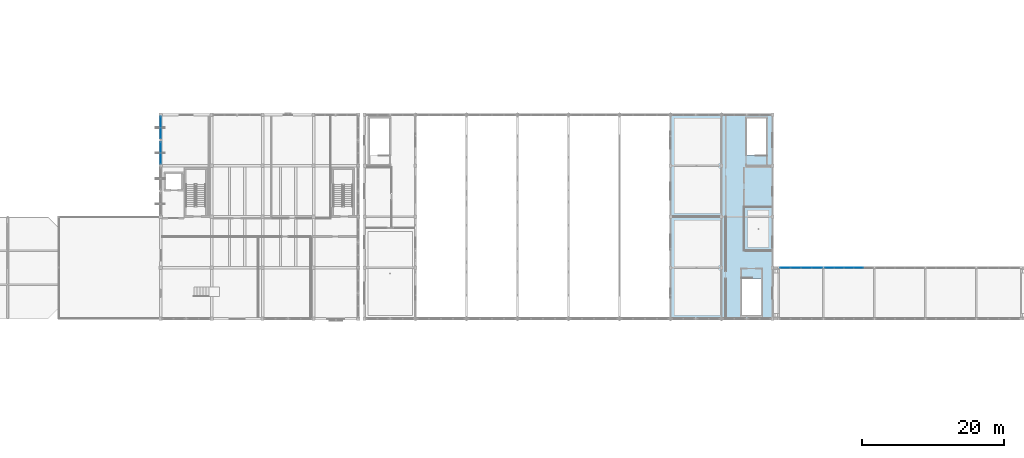
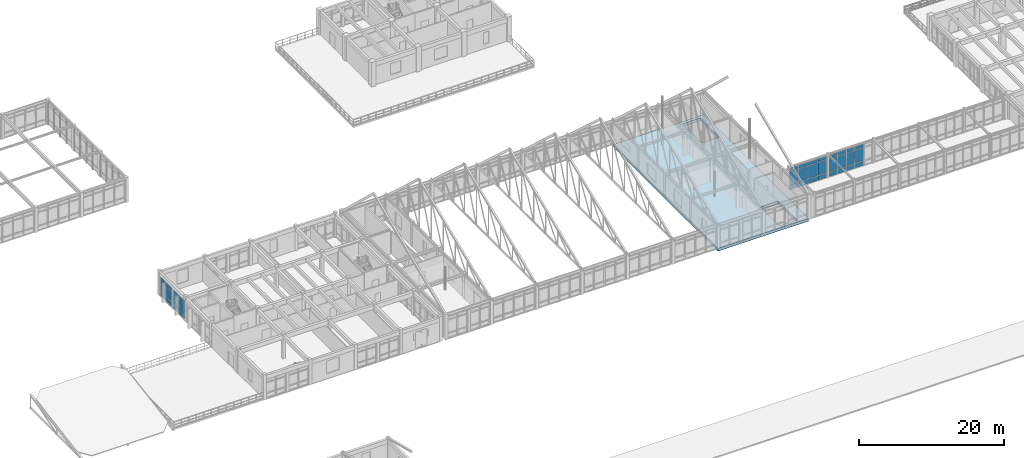
# One storey, part 80 of 136: 36 plates, 1 slab, 4 elements without a shape of their own.
"""IFC4 building model written with IfcOpenShell, lengths in metres."""

from ifc_helpers import new_model, si_unit, direction, frame, origin, origin_2d, place, context, subcontext, project, spatial, polyline, rectangle, outline, extrude, material, layer, layer_set, type_object, element, aggregate, save


model = new_model("IFC4")

# Units and contexts
model_context = context("Model", 3, precision=1e-05, world=origin(), true_north=direction((0.0, 1.0)))
body_context = subcontext(model_context, "Body", "Model", "MODEL_VIEW")
ifc_project = project(units=[si_unit("LENGTHUNIT", "METRE"), si_unit("AREAUNIT", "SQUARE_METRE"), si_unit("VOLUMEUNIT", "CUBIC_METRE"), si_unit("PLANEANGLEUNIT", "RADIAN"), si_unit("MASSUNIT", "GRAM", prefix="KILO")], contexts=[model_context])

# Site, building, storey
site_placement = place(None, origin())
site = spatial("IfcSite", under=ifc_project, at=site_placement, CompositionType="ELEMENT")
building_placement = place(site_placement, origin())
building = spatial("IfcBuilding", under=site, at=building_placement, Name="Koriwan Promenade Central Fire Station", CompositionType="ELEMENT")
storey_placement = place(building_placement, frame((0.0, 0.0, 5.39990234375)))
storey = spatial("IfcBuildingStorey", under=building, at=storey_placement, Name="L01", CompositionType="ELEMENT", Elevation=5.39990234375)

# Curtain wall, plates
ifc_material_1 = material(Name="Aluminium EN AW-6063-T6 and low-E glazing", Category="aluminium")
ifc_layer_1 = layer(ifc_material_1, 0.159912109375, Name="Aluminium EN AW-6063-T6 and low-E glazing")
ifc_layer_set_1 = layer_set([ifc_layer_1], Name="Aluminium EN AW-6063-T6 and low-E glazing")
curtain_wall_type_1 = type_object("IfcCurtainWallType", Name="CurtainWall_28_318x329", PredefinedType="USERDEFINED", material=ifc_layer_set_1)
curtain_wall_1_placement = place(storey_placement, origin())
curtain_wall_1 = element("IfcCurtainWall", 1, at=curtain_wall_1_placement, inside=storey, type_object=curtain_wall_type_1, Name="V4 L01 unitised curtain wall 121", ObjectType="UNITISED CURTAIN WALL", PredefinedType="USERDEFINED")
ifc_material_2 = material(Name="Solar-control low-E acoustic glazing", Category="glass")
ifc_layer_2 = layer(ifc_material_2, 0.031982421875, Name="Solar-control low-E acoustic glazing")
ifc_layer_set_2 = layer_set([ifc_layer_2], Name="Solar-control low-E acoustic glazing")
plate_type = type_object("IfcPlateType", Name="CWPanel_32", PredefinedType="CURTAIN_PANEL", material=ifc_layer_set_2)
plate_1_placement = place(storey_placement, frame((28.800048828125, 70.96240234375, 0.0751953125), z_axis=(0.0, 0.0, 1.0), x_axis=(0.0, -1.0, 0.0)))
plate_1 = element("IfcPlate", 2, at=plate_1_placement, type_object=plate_type, Name="CW-28 panel 1.1", PredefinedType="CURTAIN_PANEL", context=body_context, shape_type="SweptSolid", body=[
    extrude(rectangle(XDim=1.47509765625, YDim=0.031982421875, at=origin_2d()), origin(), (0.0, 0.0, 1.0), 0.737548828125),
])
plate_2_placement = place(storey_placement, frame((28.800048828125, 70.96240234375, 0.8876953125), z_axis=(0.0, 0.0, 1.0), x_axis=(0.0, -1.0, 0.0)))
plate_2 = element("IfcPlate", 3, at=plate_2_placement, type_object=plate_type, Name="CW-28 panel 1.2", PredefinedType="CURTAIN_PANEL", context=body_context, shape_type="SweptSolid", body=[
    extrude(rectangle(XDim=1.47509765625, YDim=0.031982421875, at=origin_2d()), origin(), (0.0, 0.0, 1.0), 1.715087890625),
])
plate_3_placement = place(storey_placement, frame((28.800048828125, 70.96240234375, 2.677490234375), z_axis=(0.0, 0.0, 1.0), x_axis=(0.0, -1.0, 0.0)))
plate_3 = element("IfcPlate", 4, at=plate_3_placement, type_object=plate_type, Name="CW-28 panel 1.3", PredefinedType="CURTAIN_PANEL", context=body_context, shape_type="SweptSolid", body=[
    extrude(rectangle(XDim=1.47509765625, YDim=0.031982421875, at=origin_2d()), origin(), (0.0, 0.0, 1.0), 0.53759765625),
])
plate_4_placement = place(storey_placement, frame((28.800048828125, 69.41259765625, 0.0751953125), z_axis=(0.0, 0.0, 1.0), x_axis=(0.0, -1.0, 0.0)))
plate_4 = element("IfcPlate", 5, at=plate_4_placement, type_object=plate_type, Name="CW-28 panel 2.1", PredefinedType="CURTAIN_PANEL", context=body_context, shape_type="SweptSolid", body=[
    extrude(rectangle(XDim=1.47509765625, YDim=0.031982421875, at=origin_2d()), origin(), (0.0, 0.0, 1.0), 0.737548828125),
])
plate_5_placement = place(storey_placement, frame((28.800048828125, 69.41259765625, 0.8876953125), z_axis=(0.0, 0.0, 1.0), x_axis=(0.0, -1.0, 0.0)))
plate_5 = element("IfcPlate", 6, at=plate_5_placement, type_object=plate_type, Name="CW-28 panel 2.2", PredefinedType="CURTAIN_PANEL", context=body_context, shape_type="SweptSolid", body=[
    extrude(rectangle(XDim=1.47509765625, YDim=0.031982421875, at=origin_2d()), origin(), (0.0, 0.0, 1.0), 1.715087890625),
])
plate_6_placement = place(storey_placement, frame((28.800048828125, 69.41259765625, 2.677490234375), z_axis=(0.0, 0.0, 1.0), x_axis=(0.0, -1.0, 0.0)))
plate_6 = element("IfcPlate", 7, at=plate_6_placement, type_object=plate_type, Name="CW-28 panel 2.3", PredefinedType="CURTAIN_PANEL", context=body_context, shape_type="SweptSolid", body=[
    extrude(rectangle(XDim=1.47509765625, YDim=0.031982421875, at=origin_2d()), origin(), (0.0, 0.0, 1.0), 0.53759765625),
])
aggregate(curtain_wall_1, [plate_1, plate_2, plate_3, plate_4, plate_5, plate_6])

ifc_layer_3 = layer(ifc_material_1, 0.159912109375, Name="Aluminium EN AW-6063-T6 and low-E glazing")
ifc_layer_set_3 = layer_set([ifc_layer_3], Name="Aluminium EN AW-6063-T6 and low-E glazing")
curtain_wall_type_2 = type_object("IfcCurtainWallType", Name="CurtainWall_46_317x329", PredefinedType="USERDEFINED", material=ifc_layer_set_3)
curtain_wall_2_placement = place(storey_placement, origin())
curtain_wall_2 = element("IfcCurtainWall", 8, at=curtain_wall_2_placement, inside=storey, type_object=curtain_wall_type_2, Name="V4 L01 unitised curtain wall 122", ObjectType="UNITISED CURTAIN WALL", PredefinedType="USERDEFINED")
plate_7_placement = place(storey_placement, frame((28.800048828125, 67.387451171875, 0.0751953125), z_axis=(0.0, 0.0, 1.0), x_axis=(0.0, -1.0, 0.0)))
plate_7 = element("IfcPlate", 9, at=plate_7_placement, type_object=plate_type, Name="CW-46 panel 1.1", PredefinedType="CURTAIN_PANEL", context=body_context, shape_type="SweptSolid", body=[
    extrude(rectangle(XDim=1.47509765625, YDim=0.031982421875, at=origin_2d()), origin(), (0.0, 0.0, 1.0), 0.737548828125),
])
plate_8_placement = place(storey_placement, frame((28.800048828125, 67.387451171875, 0.8876953125), z_axis=(0.0, 0.0, 1.0), x_axis=(0.0, -1.0, 0.0)))
plate_8 = element("IfcPlate", 10, at=plate_8_placement, type_object=plate_type, Name="CW-46 panel 1.2", PredefinedType="CURTAIN_PANEL", context=body_context, shape_type="SweptSolid", body=[
    extrude(rectangle(XDim=1.47509765625, YDim=0.031982421875, at=origin_2d()), origin(), (0.0, 0.0, 1.0), 1.715087890625),
])
plate_9_placement = place(storey_placement, frame((28.800048828125, 67.387451171875, 2.677490234375), z_axis=(0.0, 0.0, 1.0), x_axis=(0.0, -1.0, 0.0)))
plate_9 = element("IfcPlate", 11, at=plate_9_placement, type_object=plate_type, Name="CW-46 panel 1.3", PredefinedType="CURTAIN_PANEL", context=body_context, shape_type="SweptSolid", body=[
    extrude(rectangle(XDim=1.47509765625, YDim=0.031982421875, at=origin_2d()), origin(), (0.0, 0.0, 1.0), 0.53759765625),
])
plate_10_placement = place(storey_placement, frame((28.800048828125, 65.83740234375, 0.0751953125), z_axis=(0.0, 0.0, 1.0), x_axis=(0.0, -1.0, 0.0)))
plate_10 = element("IfcPlate", 12, at=plate_10_placement, type_object=plate_type, Name="CW-46 panel 2.1", PredefinedType="CURTAIN_PANEL", context=body_context, shape_type="SweptSolid", body=[
    extrude(rectangle(XDim=1.47509765625, YDim=0.031982421875, at=origin_2d()), origin(), (0.0, 0.0, 1.0), 0.737548828125),
])
plate_11_placement = place(storey_placement, frame((28.800048828125, 65.83740234375, 0.8876953125), z_axis=(0.0, 0.0, 1.0), x_axis=(0.0, -1.0, 0.0)))
plate_11 = element("IfcPlate", 13, at=plate_11_placement, type_object=plate_type, Name="CW-46 panel 2.2", PredefinedType="CURTAIN_PANEL", context=body_context, shape_type="SweptSolid", body=[
    extrude(rectangle(XDim=1.47509765625, YDim=0.031982421875, at=origin_2d()), origin(), (0.0, 0.0, 1.0), 1.715087890625),
])
plate_12_placement = place(storey_placement, frame((28.800048828125, 65.83740234375, 2.677490234375), z_axis=(0.0, 0.0, 1.0), x_axis=(0.0, -1.0, 0.0)))
plate_12 = element("IfcPlate", 14, at=plate_12_placement, type_object=plate_type, Name="CW-46 panel 2.3", PredefinedType="CURTAIN_PANEL", context=body_context, shape_type="SweptSolid", body=[
    extrude(rectangle(XDim=1.47509765625, YDim=0.031982421875, at=origin_2d()), origin(), (0.0, 0.0, 1.0), 0.53759765625),
])
aggregate(curtain_wall_2, [plate_7, plate_8, plate_9, plate_10, plate_11, plate_12])

ifc_layer_4 = layer(ifc_material_1, 0.159912109375, Name="Aluminium EN AW-6063-T6 and low-E glazing")
ifc_layer_set_4 = layer_set([ifc_layer_4], Name="Aluminium EN AW-6063-T6 and low-E glazing")
curtain_wall_type_3 = type_object("IfcCurtainWallType", Name="CurtainWall_97_605x374", PredefinedType="USERDEFINED", material=ifc_layer_set_4)
curtain_wall_3_placement = place(storey_placement, origin())
curtain_wall_3 = element("IfcCurtainWall", 15, at=curtain_wall_3_placement, inside=storey, type_object=curtain_wall_type_3, Name="V5 L01 unitised curtain wall 309", ObjectType="UNITISED CURTAIN WALL", PredefinedType="USERDEFINED")
plate_13_placement = place(storey_placement, frame((117.0, 50.39990234375, 0.0751953125), z_axis=(0.0, 0.0, 1.0), x_axis=(1.0, 0.0, 0.0)))
plate_13 = element("IfcPlate", 16, at=plate_13_placement, type_object=plate_type, Name="CW-97 panel 1.1", PredefinedType="CURTAIN_PANEL", context=body_context, shape_type="SweptSolid", body=[
    extrude(rectangle(XDim=1.39990234375, YDim=0.031982421875, at=origin_2d()), origin(), (0.0, 0.0, 1.0), 0.737548828125),
])
plate_14_placement = place(storey_placement, frame((117.0, 50.39990234375, 0.8876953125), z_axis=(0.0, 0.0, 1.0), x_axis=(1.0, 0.0, 0.0)))
plate_14 = element("IfcPlate", 17, at=plate_14_placement, type_object=plate_type, Name="CW-97 panel 1.2", PredefinedType="CURTAIN_PANEL", context=body_context, shape_type="SweptSolid", body=[
    extrude(rectangle(XDim=1.39990234375, YDim=0.031982421875, at=origin_2d()), origin(), (0.0, 0.0, 1.0), 2.1650390625),
])
plate_15_placement = place(storey_placement, frame((117.0, 50.39990234375, 3.12744140625), z_axis=(0.0, 0.0, 1.0), x_axis=(1.0, 0.0, 0.0)))
plate_15 = element("IfcPlate", 18, at=plate_15_placement, type_object=plate_type, Name="CW-97 panel 1.3", PredefinedType="CURTAIN_PANEL", context=body_context, shape_type="SweptSolid", body=[
    extrude(rectangle(XDim=1.39990234375, YDim=0.031982421875, at=origin_2d()), origin(), (0.0, 0.0, 1.0), 0.53759765625),
])
plate_16_placement = place(storey_placement, frame((118.49365234375, 50.39990234375, 0.0751953125), z_axis=(0.0, 0.0, 1.0), x_axis=(1.0, 0.0, 0.0)))
plate_16 = element("IfcPlate", 19, at=plate_16_placement, type_object=plate_type, Name="CW-97 panel 2.1", PredefinedType="CURTAIN_PANEL", context=body_context, shape_type="SweptSolid", body=[
    extrude(rectangle(XDim=1.4375, YDim=0.031982421875, at=origin_2d()), origin(), (0.0, 0.0, 1.0), 0.737548828125),
])
plate_17_placement = place(storey_placement, frame((118.49365234375, 50.39990234375, 0.8876953125), z_axis=(0.0, 0.0, 1.0), x_axis=(1.0, 0.0, 0.0)))
plate_17 = element("IfcPlate", 20, at=plate_17_placement, type_object=plate_type, Name="CW-97 panel 2.2", PredefinedType="CURTAIN_PANEL", context=body_context, shape_type="SweptSolid", body=[
    extrude(rectangle(XDim=1.4375, YDim=0.031982421875, at=origin_2d()), origin(), (0.0, 0.0, 1.0), 2.1650390625),
])
plate_18_placement = place(storey_placement, frame((118.49365234375, 50.39990234375, 3.12744140625), z_axis=(0.0, 0.0, 1.0), x_axis=(1.0, 0.0, 0.0)))
plate_18 = element("IfcPlate", 21, at=plate_18_placement, type_object=plate_type, Name="CW-97 panel 2.3", PredefinedType="CURTAIN_PANEL", context=body_context, shape_type="SweptSolid", body=[
    extrude(rectangle(XDim=1.4375, YDim=0.031982421875, at=origin_2d()), origin(), (0.0, 0.0, 1.0), 0.53759765625),
])
plate_19_placement = place(storey_placement, frame((120.00634765625, 50.39990234375, 0.0751953125), z_axis=(0.0, 0.0, 1.0), x_axis=(1.0, 0.0, 0.0)))
plate_19 = element("IfcPlate", 22, at=plate_19_placement, type_object=plate_type, Name="CW-97 panel 3.1", PredefinedType="CURTAIN_PANEL", context=body_context, shape_type="SweptSolid", body=[
    extrude(rectangle(XDim=1.4375, YDim=0.031982421875, at=origin_2d()), origin(), (0.0, 0.0, 1.0), 0.737548828125),
])
plate_20_placement = place(storey_placement, frame((120.00634765625, 50.39990234375, 0.8876953125), z_axis=(0.0, 0.0, 1.0), x_axis=(1.0, 0.0, 0.0)))
plate_20 = element("IfcPlate", 23, at=plate_20_placement, type_object=plate_type, Name="CW-97 panel 3.2", PredefinedType="CURTAIN_PANEL", context=body_context, shape_type="SweptSolid", body=[
    extrude(rectangle(XDim=1.4375, YDim=0.031982421875, at=origin_2d()), origin(), (0.0, 0.0, 1.0), 2.1650390625),
])
plate_21_placement = place(storey_placement, frame((120.00634765625, 50.39990234375, 3.12744140625), z_axis=(0.0, 0.0, 1.0), x_axis=(1.0, 0.0, 0.0)))
plate_21 = element("IfcPlate", 24, at=plate_21_placement, type_object=plate_type, Name="CW-97 panel 3.3", PredefinedType="CURTAIN_PANEL", context=body_context, shape_type="SweptSolid", body=[
    extrude(rectangle(XDim=1.4375, YDim=0.031982421875, at=origin_2d()), origin(), (0.0, 0.0, 1.0), 0.53759765625),
])
plate_22_placement = place(storey_placement, frame((121.5, 50.39990234375, 0.0751953125), z_axis=(0.0, 0.0, 1.0), x_axis=(1.0, 0.0, 0.0)))
plate_22 = element("IfcPlate", 25, at=plate_22_placement, type_object=plate_type, Name="CW-97 panel 4.1", PredefinedType="CURTAIN_PANEL", context=body_context, shape_type="SweptSolid", body=[
    extrude(rectangle(XDim=1.39990234375, YDim=0.031982421875, at=origin_2d()), origin(), (0.0, 0.0, 1.0), 0.737548828125),
])
plate_23_placement = place(storey_placement, frame((121.5, 50.39990234375, 0.8876953125), z_axis=(0.0, 0.0, 1.0), x_axis=(1.0, 0.0, 0.0)))
plate_23 = element("IfcPlate", 26, at=plate_23_placement, type_object=plate_type, Name="CW-97 panel 4.2", PredefinedType="CURTAIN_PANEL", context=body_context, shape_type="SweptSolid", body=[
    extrude(rectangle(XDim=1.39990234375, YDim=0.031982421875, at=origin_2d()), origin(), (0.0, 0.0, 1.0), 2.1650390625),
])
plate_24_placement = place(storey_placement, frame((121.5, 50.39990234375, 3.12744140625), z_axis=(0.0, 0.0, 1.0), x_axis=(1.0, 0.0, 0.0)))
plate_24 = element("IfcPlate", 27, at=plate_24_placement, type_object=plate_type, Name="CW-97 panel 4.3", PredefinedType="CURTAIN_PANEL", context=body_context, shape_type="SweptSolid", body=[
    extrude(rectangle(XDim=1.39990234375, YDim=0.031982421875, at=origin_2d()), origin(), (0.0, 0.0, 1.0), 0.53759765625),
])
aggregate(curtain_wall_3, [plate_13, plate_14, plate_15, plate_16, plate_17, plate_18, plate_19, plate_20, plate_21, plate_22, plate_23, plate_24])

ifc_layer_5 = layer(ifc_material_1, 0.159912109375, Name="Aluminium EN AW-6063-T6 and low-E glazing")
ifc_layer_set_5 = layer_set([ifc_layer_5], Name="Aluminium EN AW-6063-T6 and low-E glazing")
curtain_wall_type_4 = type_object("IfcCurtainWallType", Name="CurtainWall_98_695x374", PredefinedType="USERDEFINED", material=ifc_layer_set_5)
curtain_wall_4_placement = place(storey_placement, origin())
curtain_wall_4 = element("IfcCurtainWall", 28, at=curtain_wall_4_placement, inside=storey, type_object=curtain_wall_type_4, Name="V5 L01 unitised curtain wall 311", ObjectType="UNITISED CURTAIN WALL", PredefinedType="USERDEFINED")
plate_25_placement = place(storey_placement, frame((123.23876953125, 50.39990234375, 0.0751953125), z_axis=(0.0, 0.0, 1.0), x_axis=(1.0, 0.0, 0.0)))
plate_25 = element("IfcPlate", 29, at=plate_25_placement, type_object=plate_type, Name="CW-98 panel 1.1", PredefinedType="CURTAIN_PANEL", context=body_context, shape_type="SweptSolid", body=[
    extrude(rectangle(XDim=1.277587890625, YDim=0.031982421875, at=origin_2d()), origin(), (0.0, 0.0, 1.0), 0.737548828125),
])
plate_26_placement = place(storey_placement, frame((123.23876953125, 50.39990234375, 0.8876953125), z_axis=(0.0, 0.0, 1.0), x_axis=(1.0, 0.0, 0.0)))
plate_26 = element("IfcPlate", 30, at=plate_26_placement, type_object=plate_type, Name="CW-98 panel 1.2", PredefinedType="CURTAIN_PANEL", context=body_context, shape_type="SweptSolid", body=[
    extrude(rectangle(XDim=1.277587890625, YDim=0.031982421875, at=origin_2d()), origin(), (0.0, 0.0, 1.0), 2.1650390625),
])
plate_27_placement = place(storey_placement, frame((123.23876953125, 50.39990234375, 3.12744140625), z_axis=(0.0, 0.0, 1.0), x_axis=(1.0, 0.0, 0.0)))
plate_27 = element("IfcPlate", 31, at=plate_27_placement, type_object=plate_type, Name="CW-98 panel 1.3", PredefinedType="CURTAIN_PANEL", context=body_context, shape_type="SweptSolid", body=[
    extrude(rectangle(XDim=1.277587890625, YDim=0.031982421875, at=origin_2d()), origin(), (0.0, 0.0, 1.0), 0.53759765625),
])
plate_28_placement = place(storey_placement, frame((124.610107421875, 50.39990234375, 0.0751953125), z_axis=(0.0, 0.0, 1.0), x_axis=(1.0, 0.0, 0.0)))
plate_28 = element("IfcPlate", 32, at=plate_28_placement, type_object=plate_type, Name="CW-98 panel 2.1", PredefinedType="CURTAIN_PANEL", context=body_context, shape_type="SweptSolid", body=[
    extrude(rectangle(XDim=1.31494140625, YDim=0.031982421875, at=origin_2d()), origin(), (0.0, 0.0, 1.0), 0.737548828125),
])
plate_29_placement = place(storey_placement, frame((124.610107421875, 50.39990234375, 0.8876953125), z_axis=(0.0, 0.0, 1.0), x_axis=(1.0, 0.0, 0.0)))
plate_29 = element("IfcPlate", 33, at=plate_29_placement, type_object=plate_type, Name="CW-98 panel 2.2", PredefinedType="CURTAIN_PANEL", context=body_context, shape_type="SweptSolid", body=[
    extrude(rectangle(XDim=1.31494140625, YDim=0.031982421875, at=origin_2d()), origin(), (0.0, 0.0, 1.0), 2.1650390625),
])
plate_30_placement = place(storey_placement, frame((124.610107421875, 50.39990234375, 3.12744140625), z_axis=(0.0, 0.0, 1.0), x_axis=(1.0, 0.0, 0.0)))
plate_30 = element("IfcPlate", 34, at=plate_30_placement, type_object=plate_type, Name="CW-98 panel 2.3", PredefinedType="CURTAIN_PANEL", context=body_context, shape_type="SweptSolid", body=[
    extrude(rectangle(XDim=1.31494140625, YDim=0.031982421875, at=origin_2d()), origin(), (0.0, 0.0, 1.0), 0.53759765625),
])
plate_31_placement = place(storey_placement, frame((126.0, 50.39990234375, 0.0751953125), z_axis=(0.0, 0.0, 1.0), x_axis=(1.0, 0.0, 0.0)))
plate_31 = element("IfcPlate", 35, at=plate_31_placement, type_object=plate_type, Name="CW-98 panel 3.1", PredefinedType="CURTAIN_PANEL", context=body_context, shape_type="SweptSolid", body=[
    extrude(rectangle(XDim=1.31494140625, YDim=0.031982421875, at=origin_2d()), origin(), (0.0, 0.0, 1.0), 0.737548828125),
])
plate_32_placement = place(storey_placement, frame((126.0, 50.39990234375, 0.8876953125), z_axis=(0.0, 0.0, 1.0), x_axis=(1.0, 0.0, 0.0)))
plate_32 = element("IfcPlate", 36, at=plate_32_placement, type_object=plate_type, Name="CW-98 panel 3.2", PredefinedType="CURTAIN_PANEL", context=body_context, shape_type="SweptSolid", body=[
    extrude(rectangle(XDim=1.31494140625, YDim=0.031982421875, at=origin_2d()), origin(), (0.0, 0.0, 1.0), 2.1650390625),
])
plate_33_placement = place(storey_placement, frame((126.0, 50.39990234375, 3.12744140625), z_axis=(0.0, 0.0, 1.0), x_axis=(1.0, 0.0, 0.0)))
plate_33 = element("IfcPlate", 37, at=plate_33_placement, type_object=plate_type, Name="CW-98 panel 3.3", PredefinedType="CURTAIN_PANEL", context=body_context, shape_type="SweptSolid", body=[
    extrude(rectangle(XDim=1.31494140625, YDim=0.031982421875, at=origin_2d()), origin(), (0.0, 0.0, 1.0), 0.53759765625),
])
plate_34_placement = place(storey_placement, frame((127.389892578125, 50.39990234375, 0.0751953125), z_axis=(0.0, 0.0, 1.0), x_axis=(1.0, 0.0, 0.0)))
plate_34 = element("IfcPlate", 38, at=plate_34_placement, type_object=plate_type, Name="CW-98 panel 4.1", PredefinedType="CURTAIN_PANEL", context=body_context, shape_type="SweptSolid", body=[
    extrude(rectangle(XDim=1.31494140625, YDim=0.031982421875, at=origin_2d()), origin(), (0.0, 0.0, 1.0), 0.737548828125),
])
plate_35_placement = place(storey_placement, frame((127.389892578125, 50.39990234375, 0.8876953125), z_axis=(0.0, 0.0, 1.0), x_axis=(1.0, 0.0, 0.0)))
plate_35 = element("IfcPlate", 39, at=plate_35_placement, type_object=plate_type, Name="CW-98 panel 4.2", PredefinedType="CURTAIN_PANEL", context=body_context, shape_type="SweptSolid", body=[
    extrude(rectangle(XDim=1.31494140625, YDim=0.031982421875, at=origin_2d()), origin(), (0.0, 0.0, 1.0), 2.1650390625),
])
plate_36_placement = place(storey_placement, frame((127.389892578125, 50.39990234375, 3.12744140625), z_axis=(0.0, 0.0, 1.0), x_axis=(1.0, 0.0, 0.0)))
plate_36 = element("IfcPlate", 40, at=plate_36_placement, type_object=plate_type, Name="CW-98 panel 4.3", PredefinedType="CURTAIN_PANEL", context=body_context, shape_type="SweptSolid", body=[
    extrude(rectangle(XDim=1.31494140625, YDim=0.031982421875, at=origin_2d()), origin(), (0.0, 0.0, 1.0), 0.53759765625),
])
aggregate(curtain_wall_4, [plate_25, plate_26, plate_27, plate_28, plate_29, plate_30, plate_31, plate_32, plate_33, plate_34, plate_35, plate_36])

# Slab
ifc_material_3 = material(Name="Concrete C40/50", Category="concrete")
ifc_layer_6 = layer(ifc_material_3, 0.449951171875, Name="Concrete C40/50")
ifc_layer_set_6 = layer_set([ifc_layer_6], Name="Concrete C40/50")
slab_type = type_object("IfcSlabType", Name="TransferSlab_450", PredefinedType="FLOOR", material=ifc_layer_set_6)
slab_placement = place(storey_placement, frame((0.0, 0.0, -0.449951171875)))
element("IfcSlab", 41, at=slab_placement, inside=storey, type_object=slab_type, Name="V1 L01 structural slab 2", PredefinedType="FLOOR", context=body_context, shape_type="SweptSolid", body=[
    extrude(outline(polyline([(115.199951171875, 43.199951171875), (100.800048828125, 43.199951171875), (100.800048828125, 72.0), (115.199951171875, 72.0), (115.199951171875, 43.199951171875)]), holes=[polyline([(111.56005859375, 71.510009765625), (111.56005859375, 66.27197265625), (114.35009765625, 66.27197265625), (114.35009765625, 71.510009765625), (111.56005859375, 71.510009765625)]), polyline([(113.60009765625, 48.89794921875), (110.85009765625, 48.89794921875), (110.85009765625, 43.679931640625), (113.60009765625, 43.679931640625), (113.60009765625, 48.89794921875)])]), origin(), (0.0, 0.0, 1.0), 0.449951171875),
])

save(model, "model.ifc")
